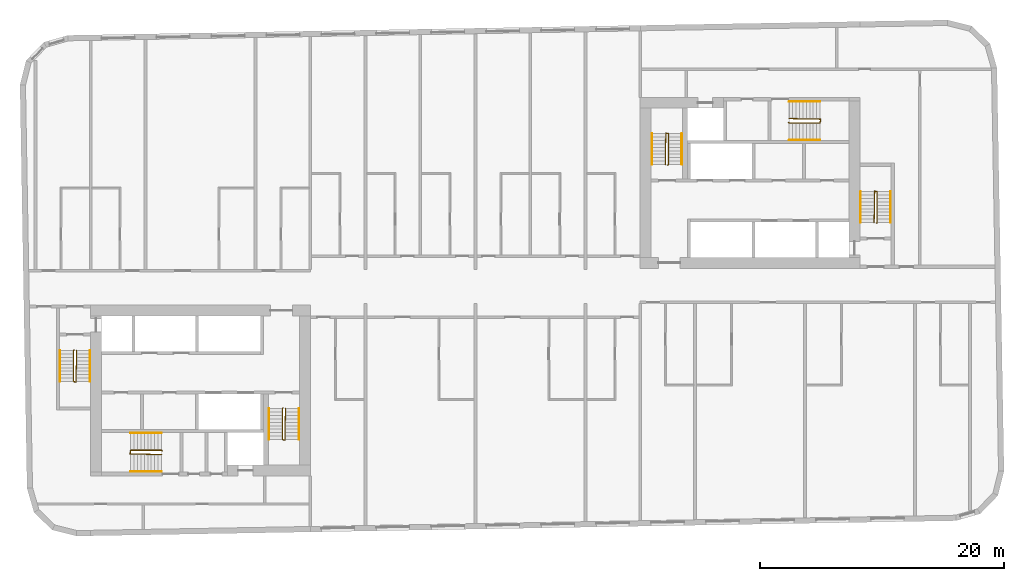
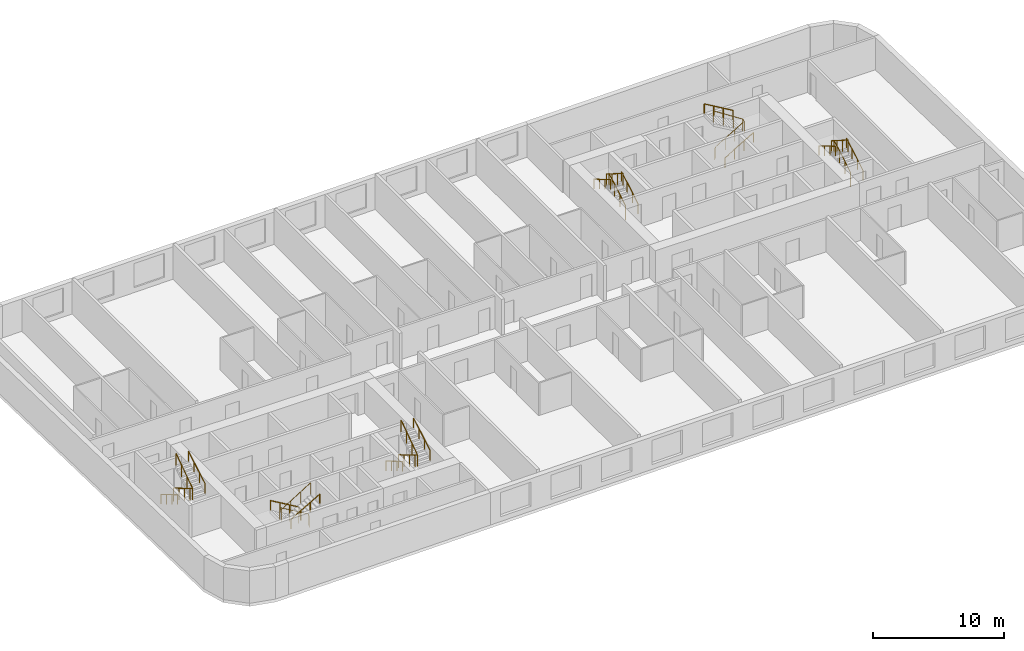
# One storey, part 11 of 11: 18 railings.
"""IFC4 building model written with IfcOpenShell, lengths in metres."""

from ifc_helpers import new_model, si_unit, direction, frame, origin, origin_2d, place, context, subcontext, project, spatial, circle, extrude, material, type_object, element, save


model = new_model("IFC4")

# Units and contexts
model_context = context("Model", 3, precision=1e-05, world=origin(), true_north=direction((0.0, 1.0)))
body_context = subcontext(model_context, "Body", "Model", "MODEL_VIEW")
ifc_project = project(units=[si_unit("LENGTHUNIT", "METRE"), si_unit("AREAUNIT", "SQUARE_METRE"), si_unit("VOLUMEUNIT", "CUBIC_METRE"), si_unit("PLANEANGLEUNIT", "RADIAN"), si_unit("MASSUNIT", "GRAM", prefix="KILO")], contexts=[model_context])

# Site, building, storey
site_placement = place(None, origin())
site = spatial("IfcSite", under=ifc_project, at=site_placement, CompositionType="ELEMENT")
building_placement = place(site_placement, origin())
building = spatial("IfcBuilding", under=site, at=building_placement, Name="Kajstack Hotel Tower", CompositionType="ELEMENT")
storey_placement = place(building_placement, frame((0.0, 0.0, 221.0)))
storey = spatial("IfcBuildingStorey", under=building, at=storey_placement, Name="L53", CompositionType="ELEMENT", Elevation=221.0)

# Railings
ifc_material = material(Name="Steel S355J2", Category="steel")
railing_type_1 = type_object("IfcRailingType", Name="Stair guard 1100", PredefinedType="GUARDRAIL", material=ifc_material)
railing_1_placement = place(storey_placement, frame((-32.85009765625, -5.199951171875, 0.0)))
element("IfcRailing", 1, at=railing_1_placement, inside=storey, type_object=railing_type_1, Name="L53 W1 stair guard 1", PredefinedType="GUARDRAIL", context=body_context, shape_type="SweptSolid", body=[
    extrude(circle(Radius=0.02392578125, at=origin_2d()), frame((0.0, 0.0, 1.076171875), z_axis=(-0.277450376394, -0.278810427259, 0.919394384522), x_axis=(0.708833529934, -0.705375805398, 0.0)), (0.0, 0.0, 1.0), 0.179443359375),
    extrude(circle(Radius=0.02392578125, at=origin_2d()), frame((-0.0498046875, -0.050048828125, 1.2412109375), z_axis=(0.0, -0.861560626758, 0.507654692109), x_axis=(1.0, 0.0, 0.0)), (0.0, 0.0, 1.0), 2.925048828125),
    extrude(circle(Radius=0.02392578125, at=origin_2d()), frame((-0.0498046875, -2.570068359375, 2.72607421875), z_axis=(0.970072785993, -0.242814311512, 0.0), x_axis=(0.242814311512, 0.970072785993, 0.0)), (0.0, 0.0, 1.0), 0.2060546875),
    extrude(circle(Radius=0.02392578125, at=origin_2d()), frame((0.150146484375, -2.6201171875, 2.72607421875), z_axis=(0.016384601254, 0.84136925563, 0.540212292087), x_axis=(-0.999810440751, 0.019470042781, 0.0)), (0.0, 0.0, 1.0), 3.0546875),
    extrude(circle(Radius=0.02099609375, at=origin_2d()), origin(), (0.0, 0.0, 1.0), 1.052001953125),
    extrude(circle(Radius=0.02099609375, at=origin_2d()), frame((-0.0498046875, -0.050048828125, 0.1650390625)), (0.0, 0.0, 1.0), 1.052001953125),
    extrude(circle(Radius=0.02099609375, at=origin_2d()), frame((-0.0498046875, -0.89013671875, 0.659912109375)), (0.0, 0.0, 1.0), 1.052001953125),
    extrude(circle(Radius=0.02099609375, at=origin_2d()), frame((-0.0498046875, -1.72998046875, 1.155029296875)), (0.0, 0.0, 1.0), 1.052001953125),
    extrude(circle(Radius=0.02099609375, at=origin_2d()), frame((-0.0498046875, -2.570068359375, 1.64990234375)), (0.0, 0.0, 1.0), 1.052001953125),
    extrude(circle(Radius=0.02099609375, at=origin_2d()), frame((0.150146484375, -2.6201171875, 1.64990234375)), (0.0, 0.0, 1.0), 1.052001953125),
    extrude(circle(Radius=0.02099609375, at=origin_2d()), frame((0.166748046875, -1.763427734375, 2.199951171875)), (0.0, 0.0, 1.0), 1.052001953125),
    extrude(circle(Radius=0.02099609375, at=origin_2d()), frame((0.18359375, -0.90673828125, 2.75)), (0.0, 0.0, 1.0), 1.052001953125),
    extrude(circle(Radius=0.02099609375, at=origin_2d()), frame((0.2001953125, -0.050048828125, 3.300048828125)), (0.0, 0.0, 1.0), 1.052001953125),
])
railing_2_placement = place(storey_placement, frame((-15.75, -9.949951171875, 0.0)))
element("IfcRailing", 2, at=railing_2_placement, inside=storey, type_object=railing_type_1, Name="L53 W2 stair guard 1", PredefinedType="GUARDRAIL", context=body_context, shape_type="SweptSolid", body=[
    extrude(circle(Radius=0.02392578125, at=origin_2d()), frame((0.0, 0.0, 1.076171875), z_axis=(-0.278705021027, -0.278705021027, 0.919046801044), x_axis=(0.707106781187, -0.707106781187, 0.0)), (0.0, 0.0, 1.0), 0.1796875),
    extrude(circle(Radius=0.02392578125, at=origin_2d()), frame((-0.050048828125, -0.050048828125, 1.2412109375), z_axis=(0.0, -0.861560626758, 0.507654692109), x_axis=(1.0, 0.0, 0.0)), (0.0, 0.0, 1.0), 2.925048828125),
    extrude(circle(Radius=0.02392578125, at=origin_2d()), frame((-0.050048828125, -2.570068359375, 2.72607421875), z_axis=(0.970072785993, -0.242814311512, 0.0), x_axis=(0.242814311512, 0.970072785993, 0.0)), (0.0, 0.0, 1.0), 0.2060546875),
    extrude(circle(Radius=0.02392578125, at=origin_2d()), frame((0.14990234375, -2.6201171875, 2.72607421875), z_axis=(0.016384601254, 0.84136925563, 0.540212292087), x_axis=(-0.999810440751, 0.019470042781, 0.0)), (0.0, 0.0, 1.0), 3.0546875),
    extrude(circle(Radius=0.02099609375, at=origin_2d()), origin(), (0.0, 0.0, 1.0), 1.052001953125),
    extrude(circle(Radius=0.02099609375, at=origin_2d()), frame((-0.050048828125, -0.050048828125, 0.1650390625)), (0.0, 0.0, 1.0), 1.052001953125),
    extrude(circle(Radius=0.02099609375, at=origin_2d()), frame((-0.050048828125, -0.89013671875, 0.659912109375)), (0.0, 0.0, 1.0), 1.052001953125),
    extrude(circle(Radius=0.02099609375, at=origin_2d()), frame((-0.050048828125, -1.72998046875, 1.155029296875)), (0.0, 0.0, 1.0), 1.052001953125),
    extrude(circle(Radius=0.02099609375, at=origin_2d()), frame((-0.050048828125, -2.570068359375, 1.64990234375)), (0.0, 0.0, 1.0), 1.052001953125),
    extrude(circle(Radius=0.02099609375, at=origin_2d()), frame((0.14990234375, -2.6201171875, 1.64990234375)), (0.0, 0.0, 1.0), 1.052001953125),
    extrude(circle(Radius=0.02099609375, at=origin_2d()), frame((0.16650390625, -1.763427734375, 2.199951171875)), (0.0, 0.0, 1.0), 1.052001953125),
    extrude(circle(Radius=0.02099609375, at=origin_2d()), frame((0.183349609375, -0.90673828125, 2.75)), (0.0, 0.0, 1.0), 1.052001953125),
    extrude(circle(Radius=0.02099609375, at=origin_2d()), frame((0.199951171875, -0.050048828125, 3.300048828125)), (0.0, 0.0, 1.0), 1.052001953125),
])
railing_3_placement = place(storey_placement, frame((-25.64990234375, -13.449951171875, 0.0)))
element("IfcRailing", 3, at=railing_3_placement, inside=storey, type_object=railing_type_1, Name="L53 W3 stair guard 1", PredefinedType="GUARDRAIL", context=body_context, shape_type="SweptSolid", body=[
    extrude(circle(Radius=0.02392578125, at=origin_2d()), frame((0.0, 0.0, 1.076171875), z_axis=(-0.278705021027, 0.278705021027, 0.919046801044), x_axis=(-0.707106781187, -0.707106781187, 0.0)), (0.0, 0.0, 1.0), 0.1796875),
    extrude(circle(Radius=0.02392578125, at=origin_2d()), frame((-0.050048828125, 0.050048828125, 1.2412109375), z_axis=(-0.861560626758, 0.0, 0.507654692109), x_axis=(0.0, -1.0, 0.0)), (0.0, 0.0, 1.0), 2.925048828125),
    extrude(circle(Radius=0.02392578125, at=origin_2d()), frame((-2.570068359375, 0.050048828125, 2.72607421875), z_axis=(-0.164529134168, -0.986372223864, 0.0), x_axis=(0.986372223864, -0.164529134168, 0.0)), (0.0, 0.0, 1.0), 0.30419921875),
    extrude(circle(Radius=0.02392578125, at=origin_2d()), frame((-2.6201171875, -0.25, 2.72607421875), z_axis=(0.84136925563, -0.016384601254, 0.540212292087), x_axis=(0.019470042781, 0.999810440751, 0.0)), (0.0, 0.0, 1.0), 3.0546875),
    extrude(circle(Radius=0.02099609375, at=origin_2d()), origin(), (0.0, 0.0, 1.0), 1.052001953125),
    extrude(circle(Radius=0.02099609375, at=origin_2d()), frame((-0.050048828125, 0.050048828125, 0.1650390625)), (0.0, 0.0, 1.0), 1.052001953125),
    extrude(circle(Radius=0.02099609375, at=origin_2d()), frame((-0.89013671875, 0.050048828125, 0.659912109375)), (0.0, 0.0, 1.0), 1.052001953125),
    extrude(circle(Radius=0.02099609375, at=origin_2d()), frame((-1.72998046875, 0.050048828125, 1.155029296875)), (0.0, 0.0, 1.0), 1.052001953125),
    extrude(circle(Radius=0.02099609375, at=origin_2d()), frame((-2.570068359375, 0.050048828125, 1.64990234375)), (0.0, 0.0, 1.0), 1.052001953125),
    extrude(circle(Radius=0.02099609375, at=origin_2d()), frame((-2.6201171875, -0.25, 1.64990234375)), (0.0, 0.0, 1.0), 1.052001953125),
    extrude(circle(Radius=0.02099609375, at=origin_2d()), frame((-1.763427734375, -0.2666015625, 2.199951171875)), (0.0, 0.0, 1.0), 1.052001953125),
    extrude(circle(Radius=0.02099609375, at=origin_2d()), frame((-0.90673828125, -0.283447265625, 2.75)), (0.0, 0.0, 1.0), 1.052001953125),
    extrude(circle(Radius=0.02099609375, at=origin_2d()), frame((-0.050048828125, -0.300048828125, 3.300048828125)), (0.0, 0.0, 1.0), 1.052001953125),
])
railing_4_placement = place(storey_placement, frame((32.85009765625, 5.199951171875, 0.0)))
element("IfcRailing", 4, at=railing_4_placement, inside=storey, type_object=railing_type_1, Name="L53 E1 stair guard 1", PredefinedType="GUARDRAIL", context=body_context, shape_type="SweptSolid", body=[
    extrude(circle(Radius=0.02392578125, at=origin_2d()), frame((0.0, 0.0, 1.076171875), z_axis=(0.277450376394, 0.278810427259, 0.919394384522), x_axis=(-0.708833529934, 0.705375805398, 0.0)), (0.0, 0.0, 1.0), 0.179443359375),
    extrude(circle(Radius=0.02392578125, at=origin_2d()), frame((0.0498046875, 0.050048828125, 1.2412109375), z_axis=(0.0, 0.861560626758, 0.507654692109), x_axis=(-1.0, 0.0, 0.0)), (0.0, 0.0, 1.0), 2.925048828125),
    extrude(circle(Radius=0.02392578125, at=origin_2d()), frame((0.0498046875, 2.570068359375, 2.72607421875), z_axis=(-0.970072785993, 0.242814311512, 0.0), x_axis=(-0.242814311512, -0.970072785993, 0.0)), (0.0, 0.0, 1.0), 0.2060546875),
    extrude(circle(Radius=0.02392578125, at=origin_2d()), frame((-0.150146484375, 2.6201171875, 2.72607421875), z_axis=(-0.016384601254, -0.84136925563, 0.540212292087), x_axis=(0.999810440751, -0.019470042781, 0.0)), (0.0, 0.0, 1.0), 3.0546875),
    extrude(circle(Radius=0.02099609375, at=origin_2d()), origin(), (0.0, 0.0, 1.0), 1.052001953125),
    extrude(circle(Radius=0.02099609375, at=origin_2d()), frame((0.0498046875, 0.050048828125, 0.1650390625)), (0.0, 0.0, 1.0), 1.052001953125),
    extrude(circle(Radius=0.02099609375, at=origin_2d()), frame((0.0498046875, 0.89013671875, 0.659912109375)), (0.0, 0.0, 1.0), 1.052001953125),
    extrude(circle(Radius=0.02099609375, at=origin_2d()), frame((0.0498046875, 1.72998046875, 1.155029296875)), (0.0, 0.0, 1.0), 1.052001953125),
    extrude(circle(Radius=0.02099609375, at=origin_2d()), frame((0.0498046875, 2.570068359375, 1.64990234375)), (0.0, 0.0, 1.0), 1.052001953125),
    extrude(circle(Radius=0.02099609375, at=origin_2d()), frame((-0.150146484375, 2.6201171875, 1.64990234375)), (0.0, 0.0, 1.0), 1.052001953125),
    extrude(circle(Radius=0.02099609375, at=origin_2d()), frame((-0.166748046875, 1.763427734375, 2.199951171875)), (0.0, 0.0, 1.0), 1.052001953125),
    extrude(circle(Radius=0.02099609375, at=origin_2d()), frame((-0.18359375, 0.90673828125, 2.75)), (0.0, 0.0, 1.0), 1.052001953125),
    extrude(circle(Radius=0.02099609375, at=origin_2d()), frame((-0.2001953125, 0.050048828125, 3.300048828125)), (0.0, 0.0, 1.0), 1.052001953125),
])
railing_5_placement = place(storey_placement, frame((15.75, 9.949951171875, 0.0)))
element("IfcRailing", 5, at=railing_5_placement, inside=storey, type_object=railing_type_1, Name="L53 E2 stair guard 1", PredefinedType="GUARDRAIL", context=body_context, shape_type="SweptSolid", body=[
    extrude(circle(Radius=0.02392578125, at=origin_2d()), frame((0.0, 0.0, 1.076171875), z_axis=(0.278705021027, 0.278705021027, 0.919046801044), x_axis=(-0.707106781187, 0.707106781187, 0.0)), (0.0, 0.0, 1.0), 0.1796875),
    extrude(circle(Radius=0.02392578125, at=origin_2d()), frame((0.050048828125, 0.050048828125, 1.2412109375), z_axis=(0.0, 0.861560626758, 0.507654692109), x_axis=(-1.0, 0.0, 0.0)), (0.0, 0.0, 1.0), 2.925048828125),
    extrude(circle(Radius=0.02392578125, at=origin_2d()), frame((0.050048828125, 2.570068359375, 2.72607421875), z_axis=(-0.970072785993, 0.242814311512, 0.0), x_axis=(-0.242814311512, -0.970072785993, 0.0)), (0.0, 0.0, 1.0), 0.2060546875),
    extrude(circle(Radius=0.02392578125, at=origin_2d()), frame((-0.14990234375, 2.6201171875, 2.72607421875), z_axis=(-0.016384601254, -0.84136925563, 0.540212292087), x_axis=(0.999810440751, -0.019470042781, 0.0)), (0.0, 0.0, 1.0), 3.0546875),
    extrude(circle(Radius=0.02099609375, at=origin_2d()), origin(), (0.0, 0.0, 1.0), 1.052001953125),
    extrude(circle(Radius=0.02099609375, at=origin_2d()), frame((0.050048828125, 0.050048828125, 0.1650390625)), (0.0, 0.0, 1.0), 1.052001953125),
    extrude(circle(Radius=0.02099609375, at=origin_2d()), frame((0.050048828125, 0.89013671875, 0.659912109375)), (0.0, 0.0, 1.0), 1.052001953125),
    extrude(circle(Radius=0.02099609375, at=origin_2d()), frame((0.050048828125, 1.72998046875, 1.155029296875)), (0.0, 0.0, 1.0), 1.052001953125),
    extrude(circle(Radius=0.02099609375, at=origin_2d()), frame((0.050048828125, 2.570068359375, 1.64990234375)), (0.0, 0.0, 1.0), 1.052001953125),
    extrude(circle(Radius=0.02099609375, at=origin_2d()), frame((-0.14990234375, 2.6201171875, 1.64990234375)), (0.0, 0.0, 1.0), 1.052001953125),
    extrude(circle(Radius=0.02099609375, at=origin_2d()), frame((-0.16650390625, 1.763427734375, 2.199951171875)), (0.0, 0.0, 1.0), 1.052001953125),
    extrude(circle(Radius=0.02099609375, at=origin_2d()), frame((-0.183349609375, 0.90673828125, 2.75)), (0.0, 0.0, 1.0), 1.052001953125),
    extrude(circle(Radius=0.02099609375, at=origin_2d()), frame((-0.199951171875, 0.050048828125, 3.300048828125)), (0.0, 0.0, 1.0), 1.052001953125),
])
railing_6_placement = place(storey_placement, frame((25.64990234375, 13.449951171875, 0.0)))
element("IfcRailing", 6, at=railing_6_placement, inside=storey, type_object=railing_type_1, Name="L53 E3 stair guard 1", PredefinedType="GUARDRAIL", context=body_context, shape_type="SweptSolid", body=[
    extrude(circle(Radius=0.02392578125, at=origin_2d()), frame((0.0, 0.0, 1.076171875), z_axis=(0.278705021027, -0.278705021027, 0.919046801044), x_axis=(0.707106781187, 0.707106781187, 0.0)), (0.0, 0.0, 1.0), 0.1796875),
    extrude(circle(Radius=0.02392578125, at=origin_2d()), frame((0.050048828125, -0.050048828125, 1.2412109375), z_axis=(0.861560626758, 0.0, 0.507654692109), x_axis=(0.0, 1.0, 0.0)), (0.0, 0.0, 1.0), 2.925048828125),
    extrude(circle(Radius=0.02392578125, at=origin_2d()), frame((2.570068359375, -0.050048828125, 2.72607421875), z_axis=(0.164529134168, 0.986372223864, 0.0), x_axis=(-0.986372223864, 0.164529134168, 0.0)), (0.0, 0.0, 1.0), 0.30419921875),
    extrude(circle(Radius=0.02392578125, at=origin_2d()), frame((2.6201171875, 0.25, 2.72607421875), z_axis=(-0.84136925563, 0.016384601254, 0.540212292087), x_axis=(-0.019470042781, -0.999810440751, 0.0)), (0.0, 0.0, 1.0), 3.0546875),
    extrude(circle(Radius=0.02099609375, at=origin_2d()), origin(), (0.0, 0.0, 1.0), 1.052001953125),
    extrude(circle(Radius=0.02099609375, at=origin_2d()), frame((0.050048828125, -0.050048828125, 0.1650390625)), (0.0, 0.0, 1.0), 1.052001953125),
    extrude(circle(Radius=0.02099609375, at=origin_2d()), frame((0.89013671875, -0.050048828125, 0.659912109375)), (0.0, 0.0, 1.0), 1.052001953125),
    extrude(circle(Radius=0.02099609375, at=origin_2d()), frame((1.72998046875, -0.050048828125, 1.155029296875)), (0.0, 0.0, 1.0), 1.052001953125),
    extrude(circle(Radius=0.02099609375, at=origin_2d()), frame((2.570068359375, -0.050048828125, 1.64990234375)), (0.0, 0.0, 1.0), 1.052001953125),
    extrude(circle(Radius=0.02099609375, at=origin_2d()), frame((2.6201171875, 0.25, 1.64990234375)), (0.0, 0.0, 1.0), 1.052001953125),
    extrude(circle(Radius=0.02099609375, at=origin_2d()), frame((1.763427734375, 0.2666015625, 2.199951171875)), (0.0, 0.0, 1.0), 1.052001953125),
    extrude(circle(Radius=0.02099609375, at=origin_2d()), frame((0.90673828125, 0.283447265625, 2.75)), (0.0, 0.0, 1.0), 1.052001953125),
    extrude(circle(Radius=0.02099609375, at=origin_2d()), frame((0.050048828125, 0.300048828125, 3.300048828125)), (0.0, 0.0, 1.0), 1.052001953125),
])
railing_type_2 = type_object("IfcRailingType", Name="Stair handrail 900", PredefinedType="HANDRAIL", material=ifc_material)
railing_7_placement = place(storey_placement, frame((-34.0, -5.25, 0.1650390625)))
element("IfcRailing", 7, at=railing_7_placement, inside=storey, type_object=railing_type_2, Name="L53 W1 stair handrail 1", PredefinedType="HANDRAIL", context=body_context, shape_type="SweptSolid", body=[
    extrude(circle(Radius=0.02392578125, at=origin_2d()), frame((0.0, 0.0, 0.8759765625), z_axis=(0.0, -0.861560626758, 0.507654692109), x_axis=(1.0, 0.0, 0.0)), (0.0, 0.0, 1.0), 2.925048828125),
    extrude(circle(Radius=0.02099609375, at=origin_2d()), origin(), (0.0, 0.0, 1.0), 0.851806640625),
    extrude(circle(Radius=0.02099609375, at=origin_2d()), frame((0.0, -0.840087890625, 0.494873046875)), (0.0, 0.0, 1.0), 0.851806640625),
    extrude(circle(Radius=0.02099609375, at=origin_2d()), frame((0.0, -1.679931640625, 0.989990234375)), (0.0, 0.0, 1.0), 0.851806640625),
    extrude(circle(Radius=0.02099609375, at=origin_2d()), frame((0.0, -2.52001953125, 1.48486328125)), (0.0, 0.0, 1.0), 0.851806640625),
])
railing_8_placement = place(storey_placement, frame((-31.550048828125, -7.77001953125, 1.81494140625)))
element("IfcRailing", 8, at=railing_8_placement, inside=storey, type_object=railing_type_2, Name="L53 W1 stair handrail 2", PredefinedType="HANDRAIL", context=body_context, shape_type="SweptSolid", body=[
    extrude(circle(Radius=0.02392578125, at=origin_2d()), frame((0.0, 0.0, 0.8759765625), z_axis=(0.0, 0.86152411907, 0.507716645641), x_axis=(-1.0, 0.0, 0.0)), (0.0, 0.0, 1.0), 2.925048828125),
    extrude(circle(Radius=0.02099609375, at=origin_2d()), origin(), (0.0, 0.0, 1.0), 0.851806640625),
    extrude(circle(Radius=0.02099609375, at=origin_2d()), frame((0.0, 0.840087890625, 0.4951171875)), (0.0, 0.0, 1.0), 0.851806640625),
    extrude(circle(Radius=0.02099609375, at=origin_2d()), frame((0.0, 1.679931640625, 0.989990234375)), (0.0, 0.0, 1.0), 0.851806640625),
    extrude(circle(Radius=0.02099609375, at=origin_2d()), frame((0.0, 2.52001953125, 1.485107421875)), (0.0, 0.0, 1.0), 0.851806640625),
])
railing_9_placement = place(storey_placement, frame((-16.89990234375, -10.0, 0.1650390625)))
element("IfcRailing", 9, at=railing_9_placement, inside=storey, type_object=railing_type_2, Name="L53 W2 stair handrail 1", PredefinedType="HANDRAIL", context=body_context, shape_type="SweptSolid", body=[
    extrude(circle(Radius=0.02392578125, at=origin_2d()), frame((0.0, 0.0, 0.8759765625), z_axis=(0.0, -0.861560626758, 0.507654692109), x_axis=(1.0, 0.0, 0.0)), (0.0, 0.0, 1.0), 2.925048828125),
    extrude(circle(Radius=0.02099609375, at=origin_2d()), origin(), (0.0, 0.0, 1.0), 0.851806640625),
    extrude(circle(Radius=0.02099609375, at=origin_2d()), frame((0.0, -0.840087890625, 0.494873046875)), (0.0, 0.0, 1.0), 0.851806640625),
    extrude(circle(Radius=0.02099609375, at=origin_2d()), frame((0.0, -1.679931640625, 0.989990234375)), (0.0, 0.0, 1.0), 0.851806640625),
    extrude(circle(Radius=0.02099609375, at=origin_2d()), frame((0.0, -2.52001953125, 1.48486328125)), (0.0, 0.0, 1.0), 0.851806640625),
])
railing_10_placement = place(storey_placement, frame((-14.449951171875, -12.52001953125, 1.81494140625)))
element("IfcRailing", 10, at=railing_10_placement, inside=storey, type_object=railing_type_2, Name="L53 W2 stair handrail 2", PredefinedType="HANDRAIL", context=body_context, shape_type="SweptSolid", body=[
    extrude(circle(Radius=0.02392578125, at=origin_2d()), frame((0.0, 0.0, 0.8759765625), z_axis=(0.0, 0.86152411907, 0.507716645641), x_axis=(-1.0, 0.0, 0.0)), (0.0, 0.0, 1.0), 2.925048828125),
    extrude(circle(Radius=0.02099609375, at=origin_2d()), origin(), (0.0, 0.0, 1.0), 0.851806640625),
    extrude(circle(Radius=0.02099609375, at=origin_2d()), frame((0.0, 0.840087890625, 0.4951171875)), (0.0, 0.0, 1.0), 0.851806640625),
    extrude(circle(Radius=0.02099609375, at=origin_2d()), frame((0.0, 1.679931640625, 0.989990234375)), (0.0, 0.0, 1.0), 0.851806640625),
    extrude(circle(Radius=0.02099609375, at=origin_2d()), frame((0.0, 2.52001953125, 1.485107421875)), (0.0, 0.0, 1.0), 0.851806640625),
])
railing_11_placement = place(storey_placement, frame((-25.699951171875, -12.0, 0.1650390625)))
element("IfcRailing", 11, at=railing_11_placement, inside=storey, type_object=railing_type_2, Name="L53 W3 stair handrail 1", PredefinedType="HANDRAIL", context=body_context, shape_type="SweptSolid", body=[
    extrude(circle(Radius=0.02392578125, at=origin_2d()), frame((0.0, 0.0, 0.8759765625), z_axis=(-0.861560626758, 0.0, 0.507654692109), x_axis=(0.0, -1.0, 0.0)), (0.0, 0.0, 1.0), 2.925048828125),
    extrude(circle(Radius=0.02099609375, at=origin_2d()), origin(), (0.0, 0.0, 1.0), 0.851806640625),
    extrude(circle(Radius=0.02099609375, at=origin_2d()), frame((-0.840087890625, 0.0, 0.494873046875)), (0.0, 0.0, 1.0), 0.851806640625),
    extrude(circle(Radius=0.02099609375, at=origin_2d()), frame((-1.679931640625, 0.0, 0.989990234375)), (0.0, 0.0, 1.0), 0.851806640625),
    extrude(circle(Radius=0.02099609375, at=origin_2d()), frame((-2.52001953125, 0.0, 1.48486328125)), (0.0, 0.0, 1.0), 0.851806640625),
])
railing_12_placement = place(storey_placement, frame((-28.219970703125, -15.14990234375, 1.81494140625)))
element("IfcRailing", 12, at=railing_12_placement, inside=storey, type_object=railing_type_2, Name="L53 W3 stair handrail 2", PredefinedType="HANDRAIL", context=body_context, shape_type="SweptSolid", body=[
    extrude(circle(Radius=0.02392578125, at=origin_2d()), frame((0.0, 0.0, 0.8759765625), z_axis=(0.86152411907, 0.0, 0.507716645641), x_axis=(0.0, 1.0, 0.0)), (0.0, 0.0, 1.0), 2.925048828125),
    extrude(circle(Radius=0.02099609375, at=origin_2d()), origin(), (0.0, 0.0, 1.0), 0.851806640625),
    extrude(circle(Radius=0.02099609375, at=origin_2d()), frame((0.840087890625, 0.0, 0.4951171875)), (0.0, 0.0, 1.0), 0.851806640625),
    extrude(circle(Radius=0.02099609375, at=origin_2d()), frame((1.679931640625, 0.0, 0.989990234375)), (0.0, 0.0, 1.0), 0.851806640625),
    extrude(circle(Radius=0.02099609375, at=origin_2d()), frame((2.52001953125, 0.0, 1.485107421875)), (0.0, 0.0, 1.0), 0.851806640625),
])
railing_13_placement = place(storey_placement, frame((34.0, 5.25, 0.1650390625)))
element("IfcRailing", 13, at=railing_13_placement, inside=storey, type_object=railing_type_2, Name="L53 E1 stair handrail 1", PredefinedType="HANDRAIL", context=body_context, shape_type="SweptSolid", body=[
    extrude(circle(Radius=0.02392578125, at=origin_2d()), frame((0.0, 0.0, 0.8759765625), z_axis=(0.0, 0.861560626758, 0.507654692109), x_axis=(-1.0, 0.0, 0.0)), (0.0, 0.0, 1.0), 2.925048828125),
    extrude(circle(Radius=0.02099609375, at=origin_2d()), origin(), (0.0, 0.0, 1.0), 0.851806640625),
    extrude(circle(Radius=0.02099609375, at=origin_2d()), frame((0.0, 0.840087890625, 0.494873046875)), (0.0, 0.0, 1.0), 0.851806640625),
    extrude(circle(Radius=0.02099609375, at=origin_2d()), frame((0.0, 1.679931640625, 0.989990234375)), (0.0, 0.0, 1.0), 0.851806640625),
    extrude(circle(Radius=0.02099609375, at=origin_2d()), frame((0.0, 2.52001953125, 1.48486328125)), (0.0, 0.0, 1.0), 0.851806640625),
])
railing_14_placement = place(storey_placement, frame((31.550048828125, 7.77001953125, 1.81494140625)))
element("IfcRailing", 14, at=railing_14_placement, inside=storey, type_object=railing_type_2, Name="L53 E1 stair handrail 2", PredefinedType="HANDRAIL", context=body_context, shape_type="SweptSolid", body=[
    extrude(circle(Radius=0.02392578125, at=origin_2d()), frame((0.0, 0.0, 0.8759765625), z_axis=(0.0, -0.86152411907, 0.507716645641), x_axis=(1.0, 0.0, 0.0)), (0.0, 0.0, 1.0), 2.925048828125),
    extrude(circle(Radius=0.02099609375, at=origin_2d()), origin(), (0.0, 0.0, 1.0), 0.851806640625),
    extrude(circle(Radius=0.02099609375, at=origin_2d()), frame((0.0, -0.840087890625, 0.4951171875)), (0.0, 0.0, 1.0), 0.851806640625),
    extrude(circle(Radius=0.02099609375, at=origin_2d()), frame((0.0, -1.679931640625, 0.989990234375)), (0.0, 0.0, 1.0), 0.851806640625),
    extrude(circle(Radius=0.02099609375, at=origin_2d()), frame((0.0, -2.52001953125, 1.485107421875)), (0.0, 0.0, 1.0), 0.851806640625),
])
railing_15_placement = place(storey_placement, frame((16.89990234375, 10.0, 0.1650390625)))
element("IfcRailing", 15, at=railing_15_placement, inside=storey, type_object=railing_type_2, Name="L53 E2 stair handrail 1", PredefinedType="HANDRAIL", context=body_context, shape_type="SweptSolid", body=[
    extrude(circle(Radius=0.02392578125, at=origin_2d()), frame((0.0, 0.0, 0.8759765625), z_axis=(0.0, 0.861560626758, 0.507654692109), x_axis=(-1.0, 0.0, 0.0)), (0.0, 0.0, 1.0), 2.925048828125),
    extrude(circle(Radius=0.02099609375, at=origin_2d()), origin(), (0.0, 0.0, 1.0), 0.851806640625),
    extrude(circle(Radius=0.02099609375, at=origin_2d()), frame((0.0, 0.840087890625, 0.494873046875)), (0.0, 0.0, 1.0), 0.851806640625),
    extrude(circle(Radius=0.02099609375, at=origin_2d()), frame((0.0, 1.679931640625, 0.989990234375)), (0.0, 0.0, 1.0), 0.851806640625),
    extrude(circle(Radius=0.02099609375, at=origin_2d()), frame((0.0, 2.52001953125, 1.48486328125)), (0.0, 0.0, 1.0), 0.851806640625),
])
railing_16_placement = place(storey_placement, frame((14.449951171875, 12.52001953125, 1.81494140625)))
element("IfcRailing", 16, at=railing_16_placement, inside=storey, type_object=railing_type_2, Name="L53 E2 stair handrail 2", PredefinedType="HANDRAIL", context=body_context, shape_type="SweptSolid", body=[
    extrude(circle(Radius=0.02392578125, at=origin_2d()), frame((0.0, 0.0, 0.8759765625), z_axis=(0.0, -0.86152411907, 0.507716645641), x_axis=(1.0, 0.0, 0.0)), (0.0, 0.0, 1.0), 2.925048828125),
    extrude(circle(Radius=0.02099609375, at=origin_2d()), origin(), (0.0, 0.0, 1.0), 0.851806640625),
    extrude(circle(Radius=0.02099609375, at=origin_2d()), frame((0.0, -0.840087890625, 0.4951171875)), (0.0, 0.0, 1.0), 0.851806640625),
    extrude(circle(Radius=0.02099609375, at=origin_2d()), frame((0.0, -1.679931640625, 0.989990234375)), (0.0, 0.0, 1.0), 0.851806640625),
    extrude(circle(Radius=0.02099609375, at=origin_2d()), frame((0.0, -2.52001953125, 1.485107421875)), (0.0, 0.0, 1.0), 0.851806640625),
])
railing_17_placement = place(storey_placement, frame((25.699951171875, 12.0, 0.1650390625)))
element("IfcRailing", 17, at=railing_17_placement, inside=storey, type_object=railing_type_2, Name="L53 E3 stair handrail 1", PredefinedType="HANDRAIL", context=body_context, shape_type="SweptSolid", body=[
    extrude(circle(Radius=0.02392578125, at=origin_2d()), frame((0.0, 0.0, 0.8759765625), z_axis=(0.861560626758, 0.0, 0.507654692109), x_axis=(0.0, 1.0, 0.0)), (0.0, 0.0, 1.0), 2.925048828125),
    extrude(circle(Radius=0.02099609375, at=origin_2d()), origin(), (0.0, 0.0, 1.0), 0.851806640625),
    extrude(circle(Radius=0.02099609375, at=origin_2d()), frame((0.840087890625, 0.0, 0.494873046875)), (0.0, 0.0, 1.0), 0.851806640625),
    extrude(circle(Radius=0.02099609375, at=origin_2d()), frame((1.679931640625, 0.0, 0.989990234375)), (0.0, 0.0, 1.0), 0.851806640625),
    extrude(circle(Radius=0.02099609375, at=origin_2d()), frame((2.52001953125, 0.0, 1.48486328125)), (0.0, 0.0, 1.0), 0.851806640625),
])
railing_18_placement = place(storey_placement, frame((28.219970703125, 15.14990234375, 1.81494140625)))
element("IfcRailing", 18, at=railing_18_placement, inside=storey, type_object=railing_type_2, Name="L53 E3 stair handrail 2", PredefinedType="HANDRAIL", context=body_context, shape_type="SweptSolid", body=[
    extrude(circle(Radius=0.02392578125, at=origin_2d()), frame((0.0, 0.0, 0.8759765625), z_axis=(-0.86152411907, 0.0, 0.507716645641), x_axis=(0.0, -1.0, 0.0)), (0.0, 0.0, 1.0), 2.925048828125),
    extrude(circle(Radius=0.02099609375, at=origin_2d()), origin(), (0.0, 0.0, 1.0), 0.851806640625),
    extrude(circle(Radius=0.02099609375, at=origin_2d()), frame((-0.840087890625, 0.0, 0.4951171875)), (0.0, 0.0, 1.0), 0.851806640625),
    extrude(circle(Radius=0.02099609375, at=origin_2d()), frame((-1.679931640625, 0.0, 0.989990234375)), (0.0, 0.0, 1.0), 0.851806640625),
    extrude(circle(Radius=0.02099609375, at=origin_2d()), frame((-2.52001953125, 0.0, 1.485107421875)), (0.0, 0.0, 1.0), 0.851806640625),
])

save(model, "model.ifc")
